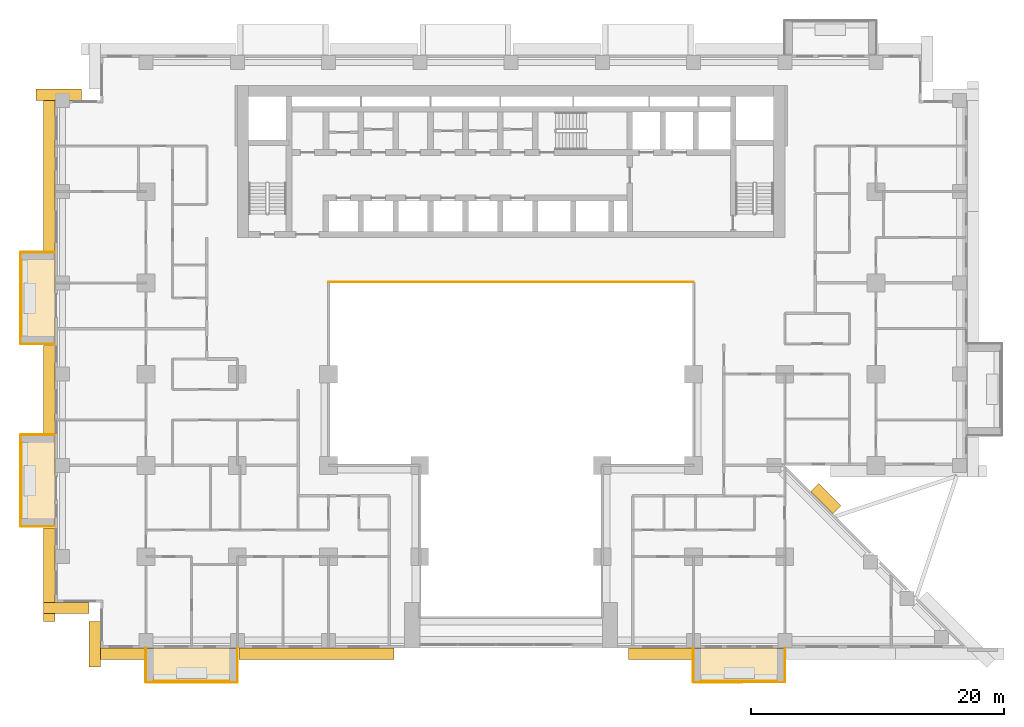
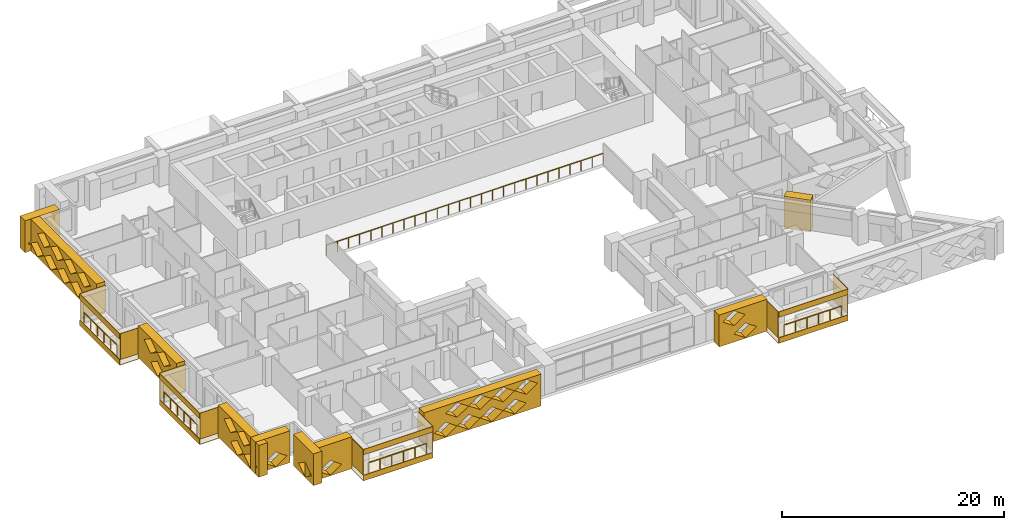
# One storey, part 13 of 16: 30 coverings, 5 railings.
"""IFC4 building model written with IfcOpenShell, lengths in metres."""

from ifc_helpers import new_model, si_unit, direction, frame, origin, origin_2d, place, context, subcontext, project, spatial, polyline, circle, outline, extrude, material, layer, layer_set, type_object, element, save


model = new_model("IFC4")

# Units and contexts
model_context = context("Model", 3, precision=1e-05, world=origin(), true_north=direction((0.0, 1.0)))
body_context = subcontext(model_context, "Body", "Model", "MODEL_VIEW")
ifc_project = project(units=[si_unit("LENGTHUNIT", "METRE"), si_unit("AREAUNIT", "SQUARE_METRE"), si_unit("VOLUMEUNIT", "CUBIC_METRE"), si_unit("PLANEANGLEUNIT", "RADIAN"), si_unit("MASSUNIT", "GRAM", prefix="KILO")], contexts=[model_context])

# Site, building, storey
site_placement = place(None, origin())
site = spatial("IfcSite", under=ifc_project, at=site_placement, CompositionType="ELEMENT")
building_placement = place(site_placement, origin())
building = spatial("IfcBuilding", under=site, at=building_placement, Name="Saffron Iwan Residences", CompositionType="ELEMENT")
storey_placement = place(building_placement, frame((0.0, 0.0, 44.5)))
storey = spatial("IfcBuildingStorey", under=building, at=storey_placement, Name="L10", CompositionType="ELEMENT", Elevation=44.5)

# Railings
ifc_material_1 = material(Name="Stainless steel 316", Category="steel")
railing_type_1 = type_object("IfcRailingType", Name="Atrium guard 1150", PredefinedType="GUARDRAIL", material=ifc_material_1)
railing_placement = place(storey_placement, frame((36.0, 62.47509765625, 0.0)))
element("IfcRailing", 1, at=railing_placement, inside=storey, type_object=railing_type_1, Name="Atrium guard L10", PredefinedType="GUARDRAIL", context=body_context, shape_type="SweptSolid", body=[
    extrude(circle(Radius=0.02392578125, at=origin_2d()), frame((0.0, 0.0, 1.1259765625), z_axis=(1.0, 0.0, 0.0), x_axis=(0.0, 1.0, 0.0)), (0.0, 0.0, 1.0), 28.800048828125),
    extrude(circle(Radius=0.02099609375, at=origin_2d()), origin(), (0.0, 0.0, 1.0), 1.101806640625),
    extrude(circle(Radius=0.02099609375, at=origin_2d()), frame((1.152099609375, 0.0, 0.0)), (0.0, 0.0, 1.0), 1.101806640625),
    extrude(circle(Radius=0.02099609375, at=origin_2d()), frame((2.303955078125, 0.0, 0.0)), (0.0, 0.0, 1.0), 1.101806640625),
    extrude(circle(Radius=0.02099609375, at=origin_2d()), frame((3.4560546875, 0.0, 0.0)), (0.0, 0.0, 1.0), 1.101806640625),
    extrude(circle(Radius=0.02099609375, at=origin_2d()), frame((4.60791015625, 0.0, 0.0)), (0.0, 0.0, 1.0), 1.101806640625),
    extrude(circle(Radius=0.02099609375, at=origin_2d()), frame((5.760009765625, 0.0, 0.0)), (0.0, 0.0, 1.0), 1.101806640625),
    extrude(circle(Radius=0.02099609375, at=origin_2d()), frame((6.912109375, 0.0, 0.0)), (0.0, 0.0, 1.0), 1.101806640625),
    extrude(circle(Radius=0.02099609375, at=origin_2d()), frame((8.06396484375, 0.0, 0.0)), (0.0, 0.0, 1.0), 1.101806640625),
    extrude(circle(Radius=0.02099609375, at=origin_2d()), frame((9.216064453125, 0.0, 0.0)), (0.0, 0.0, 1.0), 1.101806640625),
    extrude(circle(Radius=0.02099609375, at=origin_2d()), frame((10.367919921875, 0.0, 0.0)), (0.0, 0.0, 1.0), 1.101806640625),
    extrude(circle(Radius=0.02099609375, at=origin_2d()), frame((11.52001953125, 0.0, 0.0)), (0.0, 0.0, 1.0), 1.101806640625),
    extrude(circle(Radius=0.02099609375, at=origin_2d()), frame((12.672119140625, 0.0, 0.0)), (0.0, 0.0, 1.0), 1.101806640625),
    extrude(circle(Radius=0.02099609375, at=origin_2d()), frame((13.823974609375, 0.0, 0.0)), (0.0, 0.0, 1.0), 1.101806640625),
    extrude(circle(Radius=0.02099609375, at=origin_2d()), frame((14.97607421875, 0.0, 0.0)), (0.0, 0.0, 1.0), 1.101806640625),
    extrude(circle(Radius=0.02099609375, at=origin_2d()), frame((16.1279296875, 0.0, 0.0)), (0.0, 0.0, 1.0), 1.101806640625),
    extrude(circle(Radius=0.02099609375, at=origin_2d()), frame((17.280029296875, 0.0, 0.0)), (0.0, 0.0, 1.0), 1.101806640625),
    extrude(circle(Radius=0.02099609375, at=origin_2d()), frame((18.43212890625, 0.0, 0.0)), (0.0, 0.0, 1.0), 1.101806640625),
    extrude(circle(Radius=0.02099609375, at=origin_2d()), frame((19.583984375, 0.0, 0.0)), (0.0, 0.0, 1.0), 1.101806640625),
    extrude(circle(Radius=0.02099609375, at=origin_2d()), frame((20.736083984375, 0.0, 0.0)), (0.0, 0.0, 1.0), 1.101806640625),
    extrude(circle(Radius=0.02099609375, at=origin_2d()), frame((21.887939453125, 0.0, 0.0)), (0.0, 0.0, 1.0), 1.101806640625),
    extrude(circle(Radius=0.02099609375, at=origin_2d()), frame((23.0400390625, 0.0, 0.0)), (0.0, 0.0, 1.0), 1.101806640625),
    extrude(circle(Radius=0.02099609375, at=origin_2d()), frame((24.192138671875, 0.0, 0.0)), (0.0, 0.0, 1.0), 1.101806640625),
    extrude(circle(Radius=0.02099609375, at=origin_2d()), frame((25.343994140625, 0.0, 0.0)), (0.0, 0.0, 1.0), 1.101806640625),
    extrude(circle(Radius=0.02099609375, at=origin_2d()), frame((26.49609375, 0.0, 0.0)), (0.0, 0.0, 1.0), 1.101806640625),
    extrude(circle(Radius=0.02099609375, at=origin_2d()), frame((27.64794921875, 0.0, 0.0)), (0.0, 0.0, 1.0), 1.101806640625),
    extrude(circle(Radius=0.02099609375, at=origin_2d()), frame((28.800048828125, 0.0, 0.0)), (0.0, 0.0, 1.0), 1.101806640625),
])
railing_type_2 = type_object("IfcRailingType", Name="BALCONY GUARD 1150", PredefinedType="GUARDRAIL", material=ifc_material_1)
for number, where, name in (
    (2, (11.77490234375, 64.199951171875, 0.0), "Balcony guard L10 F8-0"),
    (3, (11.77490234375, 49.800048828125, 0.0), "Balcony guard L10 F8-1"),
):
    element("IfcRailing", number, at=place(storey_placement, frame(where)), inside=storey, type_object=railing_type_2, Name=name, PredefinedType="GUARDRAIL", context=body_context, shape_type="SweptSolid", body=[
        extrude(circle(Radius=0.02392578125, at=origin_2d()), frame((0.0, 0.0, 1.1259765625), z_axis=(0.0, -1.0, 0.0), x_axis=(1.0, 0.0, 0.0)), (0.0, 0.0, 1.0), 6.0),
        extrude(circle(Radius=0.02099609375, at=origin_2d()), origin(), (0.0, 0.0, 1.0), 1.101806640625),
        extrude(circle(Radius=0.02099609375, at=origin_2d()), frame((0.0, -1.199951171875, 0.0)), (0.0, 0.0, 1.0), 1.101806640625),
        extrude(circle(Radius=0.02099609375, at=origin_2d()), frame((0.0, -2.39990234375, 0.0)), (0.0, 0.0, 1.0), 1.101806640625),
        extrude(circle(Radius=0.02099609375, at=origin_2d()), frame((0.0, -3.60009765625, 0.0)), (0.0, 0.0, 1.0), 1.101806640625),
        extrude(circle(Radius=0.02099609375, at=origin_2d()), frame((0.0, -4.800048828125, 0.0)), (0.0, 0.0, 1.0), 1.101806640625),
        extrude(circle(Radius=0.02099609375, at=origin_2d()), frame((0.0, -6.0, 0.0)), (0.0, 0.0, 1.0), 1.101806640625),
    ])
for number, where, name in (
    (4, (22.199951171875, 30.97509765625, 0.0), "Balcony guard L10 11-0"),
    (5, (65.39990234375, 30.97509765625, 0.0), "Balcony guard L10 11-1"),
):
    element("IfcRailing", number, at=place(storey_placement, frame(where)), inside=storey, type_object=railing_type_2, Name=name, PredefinedType="GUARDRAIL", context=body_context, shape_type="SweptSolid", body=[
        extrude(circle(Radius=0.02392578125, at=origin_2d()), frame((0.0, 0.0, 1.1259765625), z_axis=(1.0, 0.0, 0.0), x_axis=(0.0, 1.0, 0.0)), (0.0, 0.0, 1.0), 6.0),
        extrude(circle(Radius=0.02099609375, at=origin_2d()), origin(), (0.0, 0.0, 1.0), 1.101806640625),
        extrude(circle(Radius=0.02099609375, at=origin_2d()), frame((1.199951171875, 0.0, 0.0)), (0.0, 0.0, 1.0), 1.101806640625),
        extrude(circle(Radius=0.02099609375, at=origin_2d()), frame((2.39990234375, 0.0, 0.0)), (0.0, 0.0, 1.0), 1.101806640625),
        extrude(circle(Radius=0.02099609375, at=origin_2d()), frame((3.60009765625, 0.0, 0.0)), (0.0, 0.0, 1.0), 1.101806640625),
        extrude(circle(Radius=0.02099609375, at=origin_2d()), frame((4.800048828125, 0.0, 0.0)), (0.0, 0.0, 1.0), 1.101806640625),
        extrude(circle(Radius=0.02099609375, at=origin_2d()), frame((6.0, 0.0, 0.0)), (0.0, 0.0, 1.0), 1.101806640625),
    ])

# Coverings
ifc_material_2 = material(Name="Precast concrete C40/50 white painted", Category="concrete")
ifc_layer = layer(ifc_material_2, 0.050048828125)
ifc_layer_set = layer_set([ifc_layer], Name="Precast concrete C40/50 white painted")
covering_type_1 = type_object("IfcCoveringType", Name="FRAME SKIN PRECAST WHITE 50", PredefinedType="CLADDING", material=ifc_layer_set)
for number, where, name in (
    (6, (0.0, 0.0, -0.60009765625), "Frame skin slab edge L10 F8-0"),
    (7, (0.0, 0.0, 2.25), "Frame skin fascia L10 F8-0"),
):
    element("IfcCovering", number, at=place(storey_placement, frame(where)), inside=storey, type_object=covering_type_1, Name=name, PredefinedType="CLADDING", context=body_context, shape_type="SweptSolid", body=[
        extrude(outline(polyline([(11.64990234375, 64.800048828125), (11.64990234375, 57.60009765625), (11.699951171875, 57.60009765625), (11.699951171875, 64.800048828125), (11.64990234375, 64.800048828125)])), origin(), (0.0, 0.0, 1.0), 0.60009765625),
    ])
covering_1_placement = place(storey_placement, frame((0.0, 0.0, -0.64990234375)))
element("IfcCovering", 8, at=covering_1_placement, inside=storey, type_object=covering_type_1, Name="Frame skin soffit L10 F8-0", PredefinedType="CLADDING", context=body_context, shape_type="SweptSolid", body=[
    extrude(outline(polyline([(11.699951171875, 64.800048828125), (11.699951171875, 57.60009765625), (14.39990234375, 57.60009765625), (14.39990234375, 64.800048828125), (11.699951171875, 64.800048828125)])), origin(), (0.0, 0.0, 1.0), 0.0498046875),
])
covering_2_placement = place(storey_placement, origin())
element("IfcCovering", 9, at=covering_2_placement, inside=storey, type_object=covering_type_1, Name="Frame skin fin L10 F8-0a", PredefinedType="CLADDING", context=body_context, shape_type="SweptSolid", body=[
    extrude(outline(polyline([(11.699951171875, 64.85009765625), (11.699951171875, 64.800048828125), (14.39990234375, 64.800048828125), (14.39990234375, 64.85009765625), (11.699951171875, 64.85009765625)])), origin(), (0.0, 0.0, 1.0), 2.85009765625),
])
covering_3_placement = place(storey_placement, origin())
element("IfcCovering", 10, at=covering_3_placement, inside=storey, type_object=covering_type_1, Name="Frame skin fin L10 F8-0b", PredefinedType="CLADDING", context=body_context, shape_type="SweptSolid", body=[
    extrude(outline(polyline([(11.699951171875, 57.60009765625), (11.699951171875, 57.550048828125), (14.39990234375, 57.550048828125), (14.39990234375, 57.60009765625), (11.699951171875, 57.60009765625)])), origin(), (0.0, 0.0, 1.0), 2.85009765625),
])
for number, where, name in (
    (11, (0.0, 0.0, -0.60009765625), "Frame skin slab edge L10 F8-1"),
    (12, (0.0, 0.0, 2.25), "Frame skin fascia L10 F8-1"),
):
    element("IfcCovering", number, at=place(storey_placement, frame(where)), inside=storey, type_object=covering_type_1, Name=name, PredefinedType="CLADDING", context=body_context, shape_type="SweptSolid", body=[
        extrude(outline(polyline([(11.64990234375, 50.39990234375), (11.64990234375, 43.199951171875), (11.699951171875, 43.199951171875), (11.699951171875, 50.39990234375), (11.64990234375, 50.39990234375)])), origin(), (0.0, 0.0, 1.0), 0.60009765625),
    ])
covering_4_placement = place(storey_placement, frame((0.0, 0.0, -0.64990234375)))
element("IfcCovering", 13, at=covering_4_placement, inside=storey, type_object=covering_type_1, Name="Frame skin soffit L10 F8-1", PredefinedType="CLADDING", context=body_context, shape_type="SweptSolid", body=[
    extrude(outline(polyline([(11.699951171875, 50.39990234375), (11.699951171875, 43.199951171875), (14.39990234375, 43.199951171875), (14.39990234375, 50.39990234375), (11.699951171875, 50.39990234375)])), origin(), (0.0, 0.0, 1.0), 0.0498046875),
])
covering_5_placement = place(storey_placement, origin())
element("IfcCovering", 14, at=covering_5_placement, inside=storey, type_object=covering_type_1, Name="Frame skin fin L10 F8-1a", PredefinedType="CLADDING", context=body_context, shape_type="SweptSolid", body=[
    extrude(outline(polyline([(11.699951171875, 50.449951171875), (11.699951171875, 50.39990234375), (14.39990234375, 50.39990234375), (14.39990234375, 50.449951171875), (11.699951171875, 50.449951171875)])), origin(), (0.0, 0.0, 1.0), 2.85009765625),
])
covering_6_placement = place(storey_placement, origin())
element("IfcCovering", 15, at=covering_6_placement, inside=storey, type_object=covering_type_1, Name="Frame skin fin L10 F8-1b", PredefinedType="CLADDING", context=body_context, shape_type="SweptSolid", body=[
    extrude(outline(polyline([(11.699951171875, 43.199951171875), (11.699951171875, 43.14990234375), (14.39990234375, 43.14990234375), (14.39990234375, 43.199951171875), (11.699951171875, 43.199951171875)])), origin(), (0.0, 0.0, 1.0), 2.85009765625),
])
for number, where, name in (
    (16, (0.0, 0.0, -0.60009765625), "Frame skin slab edge L10 11-0"),
    (17, (0.0, 0.0, 2.25), "Frame skin fascia L10 11-0"),
):
    element("IfcCovering", number, at=place(storey_placement, frame(where)), inside=storey, type_object=covering_type_1, Name=name, PredefinedType="CLADDING", context=body_context, shape_type="SweptSolid", body=[
        extrude(outline(polyline([(21.60009765625, 30.85009765625), (28.800048828125, 30.85009765625), (28.800048828125, 30.89990234375), (21.60009765625, 30.89990234375), (21.60009765625, 30.85009765625)])), origin(), (0.0, 0.0, 1.0), 0.60009765625),
    ])
covering_7_placement = place(storey_placement, frame((0.0, 0.0, -0.64990234375)))
element("IfcCovering", 18, at=covering_7_placement, inside=storey, type_object=covering_type_1, Name="Frame skin soffit L10 11-0", PredefinedType="CLADDING", context=body_context, shape_type="SweptSolid", body=[
    extrude(outline(polyline([(21.60009765625, 30.89990234375), (28.800048828125, 30.89990234375), (28.800048828125, 33.60009765625), (21.60009765625, 33.60009765625), (21.60009765625, 30.89990234375)])), origin(), (0.0, 0.0, 1.0), 0.0498046875),
])
covering_8_placement = place(storey_placement, origin())
element("IfcCovering", 19, at=covering_8_placement, inside=storey, type_object=covering_type_1, Name="Frame skin fin L10 11-0a", PredefinedType="CLADDING", context=body_context, shape_type="SweptSolid", body=[
    extrude(outline(polyline([(21.550048828125, 30.89990234375), (21.60009765625, 30.89990234375), (21.60009765625, 33.60009765625), (21.550048828125, 33.60009765625), (21.550048828125, 30.89990234375)])), origin(), (0.0, 0.0, 1.0), 2.85009765625),
])
covering_9_placement = place(storey_placement, origin())
element("IfcCovering", 20, at=covering_9_placement, inside=storey, type_object=covering_type_1, Name="Frame skin fin L10 11-0b", PredefinedType="CLADDING", context=body_context, shape_type="SweptSolid", body=[
    extrude(outline(polyline([(28.800048828125, 30.89990234375), (28.85009765625, 30.89990234375), (28.85009765625, 33.60009765625), (28.800048828125, 33.60009765625), (28.800048828125, 30.89990234375)])), origin(), (0.0, 0.0, 1.0), 2.85009765625),
])
for number, where, name in (
    (21, (0.0, 0.0, -0.60009765625), "Frame skin slab edge L10 11-1"),
    (22, (0.0, 0.0, 2.25), "Frame skin fascia L10 11-1"),
):
    element("IfcCovering", number, at=place(storey_placement, frame(where)), inside=storey, type_object=covering_type_1, Name=name, PredefinedType="CLADDING", context=body_context, shape_type="SweptSolid", body=[
        extrude(outline(polyline([(64.800048828125, 30.85009765625), (72.0, 30.85009765625), (72.0, 30.89990234375), (64.800048828125, 30.89990234375), (64.800048828125, 30.85009765625)])), origin(), (0.0, 0.0, 1.0), 0.60009765625),
    ])
covering_10_placement = place(storey_placement, frame((0.0, 0.0, -0.64990234375)))
element("IfcCovering", 23, at=covering_10_placement, inside=storey, type_object=covering_type_1, Name="Frame skin soffit L10 11-1", PredefinedType="CLADDING", context=body_context, shape_type="SweptSolid", body=[
    extrude(outline(polyline([(64.800048828125, 30.89990234375), (72.0, 30.89990234375), (72.0, 33.60009765625), (64.800048828125, 33.60009765625), (64.800048828125, 30.89990234375)])), origin(), (0.0, 0.0, 1.0), 0.0498046875),
])
covering_11_placement = place(storey_placement, origin())
element("IfcCovering", 24, at=covering_11_placement, inside=storey, type_object=covering_type_1, Name="Frame skin fin L10 11-1a", PredefinedType="CLADDING", context=body_context, shape_type="SweptSolid", body=[
    extrude(outline(polyline([(64.75, 30.89990234375), (64.800048828125, 30.89990234375), (64.800048828125, 33.60009765625), (64.75, 33.60009765625), (64.75, 30.89990234375)])), origin(), (0.0, 0.0, 1.0), 2.85009765625),
])
covering_12_placement = place(storey_placement, origin())
element("IfcCovering", 25, at=covering_12_placement, inside=storey, type_object=covering_type_1, Name="Frame skin fin L10 11-1b", PredefinedType="CLADDING", context=body_context, shape_type="SweptSolid", body=[
    extrude(outline(polyline([(72.0, 30.89990234375), (72.050048828125, 30.89990234375), (72.050048828125, 33.60009765625), (72.0, 33.60009765625), (72.0, 30.89990234375)])), origin(), (0.0, 0.0, 1.0), 2.85009765625),
])
ifc_material_3 = material(Name="Precast concrete C40/50", Category="concrete")
covering_type_2 = type_object("IfcCoveringType", Name="OUTER SKIN LATTICE SCREEN", PredefinedType="CLADDING", material=ifc_material_3)
covering_13_placement = place(storey_placement, frame((75.805908203125, 44.194091796875, -0.320068359375), z_axis=(0.707106781187, 0.707106781187, 0.0), x_axis=(-0.707106781187, 0.707106781187, 0.0)))
element("IfcCovering", 26, at=covering_13_placement, inside=storey, type_object=covering_type_2, Name="OUTER SKIN lattice screen L10 F0.1", PredefinedType="CLADDING", context=body_context, shape_type="SweptSolid", body=[
    extrude(outline(polyline([(0.0, 0.0), (2.4853515625, 0.0), (2.4853515625, 3.5), (0.0, 3.5), (0.0, 0.0)])), origin(), (0.0, 0.0, 1.0), 0.900146484375),
])
covering_14_placement = place(storey_placement, frame((16.5, 76.800048828125, -0.320068359375), z_axis=(0.0, 1.0, 0.0), x_axis=(-1.0, 0.0, 0.0)))
element("IfcCovering", 27, at=covering_14_placement, inside=storey, type_object=covering_type_2, Name="OUTER SKIN lattice screen L10 F7.0", PredefinedType="CLADDING", context=body_context, shape_type="SweptSolid", body=[
    extrude(outline(polyline([(0.0, 0.0), (3.60009765625, 0.0), (3.60009765625, 3.5), (0.0, 3.5), (0.0, 0.0)]), holes=[polyline([(0.919921875, 0.875), (2.10009765625, 0.06005859375), (3.280029296875, 0.875), (2.10009765625, 1.68994140625), (0.919921875, 0.875)])]), origin(), (0.0, 0.0, 1.0), 0.89990234375),
])
covering_15_placement = place(storey_placement, frame((14.39990234375, 77.699951171875, -0.320068359375), z_axis=(-1.0, 0.0, 0.0), x_axis=(0.0, -1.0, 0.0)))
element("IfcCovering", 28, at=covering_15_placement, inside=storey, type_object=covering_type_2, Name="OUTER SKIN lattice screen L10 F8.0", PredefinedType="CLADDING", context=body_context, shape_type="SweptSolid", body=[
    extrude(outline(polyline([(0.0, 0.0), (12.75, 0.0), (12.75, 3.5), (0.0, 3.5), (0.0, 0.0)]), holes=[polyline([(0.919921875, 0.875), (2.10009765625, 0.06005859375), (3.280029296875, 0.875), (2.10009765625, 1.68994140625), (0.919921875, 0.875)]), polyline([(3.320068359375, 0.875), (4.5, 0.06005859375), (5.679931640625, 0.875), (4.5, 1.68994140625), (3.320068359375, 0.875)]), polyline([(5.719970703125, 0.875), (6.89990234375, 0.06005859375), (8.080078125, 0.875), (6.89990234375, 1.68994140625), (5.719970703125, 0.875)]), polyline([(8.1201171875, 0.875), (9.300048828125, 0.06005859375), (10.47998046875, 0.875), (9.300048828125, 1.68994140625), (8.1201171875, 0.875)]), polyline([(2.1201171875, 2.625), (3.300048828125, 1.81005859375), (4.47998046875, 2.625), (3.300048828125, 3.43994140625), (2.1201171875, 2.625)]), polyline([(4.52001953125, 2.625), (5.699951171875, 1.81005859375), (6.8798828125, 2.625), (5.699951171875, 3.43994140625), (4.52001953125, 2.625)]), polyline([(6.919921875, 2.625), (8.10009765625, 1.81005859375), (9.280029296875, 2.625), (8.10009765625, 3.43994140625), (6.919921875, 2.625)]), polyline([(9.320068359375, 2.625), (10.5, 1.81005859375), (11.679931640625, 2.625), (10.5, 3.43994140625), (9.320068359375, 2.625)])]), origin(), (0.0, 0.0, 1.0), 0.89990234375),
])
covering_16_placement = place(storey_placement, frame((14.39990234375, 57.449951171875, -0.320068359375), z_axis=(-1.0, 0.0, 0.0), x_axis=(0.0, -1.0, 0.0)))
element("IfcCovering", 29, at=covering_16_placement, inside=storey, type_object=covering_type_2, Name="OUTER SKIN lattice screen L10 F8.1", PredefinedType="CLADDING", context=body_context, shape_type="SweptSolid", body=[
    extrude(outline(polyline([(0.0, 0.0), (6.89990234375, 0.0), (6.89990234375, 3.5), (0.0, 3.5), (0.0, 0.0)]), holes=[polyline([(2.27001953125, 0.875), (3.449951171875, 0.06005859375), (4.6298828125, 0.875), (3.449951171875, 1.68994140625), (2.27001953125, 0.875)]), polyline([(1.070068359375, 2.625), (2.25, 1.81005859375), (3.429931640625, 2.625), (2.25, 3.43994140625), (1.070068359375, 2.625)]), polyline([(3.469970703125, 2.625), (4.64990234375, 1.81005859375), (5.830078125, 2.625), (4.64990234375, 3.43994140625), (3.469970703125, 2.625)])]), origin(), (0.0, 0.0, 1.0), 0.89990234375),
])
covering_17_placement = place(storey_placement, frame((14.39990234375, 43.050048828125, -0.320068359375), z_axis=(-1.0, 0.0, 0.0), x_axis=(0.0, -1.0, 0.0)))
element("IfcCovering", 30, at=covering_17_placement, inside=storey, type_object=covering_type_2, Name="OUTER SKIN lattice screen L10 F8.2", PredefinedType="CLADDING", context=body_context, shape_type="SweptSolid", body=[
    extrude(outline(polyline([(0.0, 0.0), (7.35009765625, 0.0), (7.35009765625, 3.5), (0.0, 3.5), (0.0, 0.0)]), holes=[polyline([(2.27001953125, 0.875), (3.449951171875, 0.06005859375), (4.6298828125, 0.875), (3.449951171875, 1.68994140625), (2.27001953125, 0.875)]), polyline([(4.669921875, 0.875), (5.85009765625, 0.06005859375), (7.030029296875, 0.875), (5.85009765625, 1.68994140625), (4.669921875, 0.875)]), polyline([(1.070068359375, 2.625), (2.25, 1.81005859375), (3.429931640625, 2.625), (2.25, 3.43994140625), (1.070068359375, 2.625)]), polyline([(3.469970703125, 2.625), (4.64990234375, 1.81005859375), (5.830078125, 2.625), (4.64990234375, 3.43994140625), (3.469970703125, 2.625)])]), origin(), (0.0, 0.0, 1.0), 0.89990234375),
])
for number, where, z_axis, x_axis, name in (
    (31, (13.5, 37.199951171875, -0.320068359375), (0.0, -1.0, 0.0), (1.0, 0.0, 0.0), "OUTER SKIN lattice screen L10 F9.0"),
    (32, (18.0, 35.699951171875, -0.320068359375), (-1.0, 0.0, 0.0), (0.0, -1.0, 0.0), "OUTER SKIN lattice screen L10 F10.0"),
):
    element("IfcCovering", number, at=place(storey_placement, frame(where, z_axis=z_axis, x_axis=x_axis)), inside=storey, type_object=covering_type_2, Name=name, PredefinedType="CLADDING", context=body_context, shape_type="SweptSolid", body=[
        extrude(outline(polyline([(0.0, 0.0), (3.60009765625, 0.0), (3.60009765625, 3.5), (0.0, 3.5), (0.0, 0.0)]), holes=[polyline([(0.919921875, 0.875), (2.10009765625, 0.06005859375), (3.280029296875, 0.875), (2.10009765625, 1.68994140625), (0.919921875, 0.875)])]), origin(), (0.0, 0.0, 1.0), 0.89990234375),
    ])
covering_18_placement = place(storey_placement, frame((17.10009765625, 33.60009765625, -0.320068359375), z_axis=(0.0, -1.0, 0.0), x_axis=(1.0, 0.0, 0.0)))
element("IfcCovering", 33, at=covering_18_placement, inside=storey, type_object=covering_type_2, Name="OUTER SKIN lattice screen L10 F11.0", PredefinedType="CLADDING", context=body_context, shape_type="SweptSolid", body=[
    extrude(outline(polyline([(0.0, 0.0), (4.35009765625, 0.0), (4.35009765625, 3.5), (0.0, 3.5), (0.0, 0.0)]), holes=[polyline([(0.919921875, 0.875), (2.10009765625, 0.06005859375), (3.280029296875, 0.875), (2.10009765625, 1.68994140625), (0.919921875, 0.875)])]), origin(), (0.0, 0.0, 1.0), 0.900146484375),
])
covering_19_placement = place(storey_placement, frame((28.949951171875, 33.60009765625, -0.320068359375), z_axis=(0.0, -1.0, 0.0), x_axis=(1.0, 0.0, 0.0)))
element("IfcCovering", 34, at=covering_19_placement, inside=storey, type_object=covering_type_2, Name="OUTER SKIN lattice screen L10 F11.1", PredefinedType="CLADDING", context=body_context, shape_type="SweptSolid", body=[
    extrude(outline(polyline([(0.0, 0.0), (12.199951171875, 0.0), (12.199951171875, 3.5), (0.0, 3.5), (0.0, 0.0)]), holes=[polyline([(1.070068359375, 0.875), (2.25, 0.06005859375), (3.429931640625, 0.875), (2.25, 1.68994140625), (1.070068359375, 0.875)]), polyline([(3.469970703125, 0.875), (4.64990234375, 0.06005859375), (5.830078125, 0.875), (4.64990234375, 1.68994140625), (3.469970703125, 0.875)]), polyline([(5.8701171875, 0.875), (7.050048828125, 0.06005859375), (8.22998046875, 0.875), (7.050048828125, 1.68994140625), (5.8701171875, 0.875)]), polyline([(8.27001953125, 0.875), (9.449951171875, 0.06005859375), (10.6298828125, 0.875), (9.449951171875, 1.68994140625), (8.27001953125, 0.875)]), polyline([(2.27001953125, 2.625), (3.449951171875, 1.81005859375), (4.6298828125, 2.625), (3.449951171875, 3.43994140625), (2.27001953125, 2.625)]), polyline([(4.669921875, 2.625), (5.85009765625, 1.81005859375), (7.030029296875, 2.625), (5.85009765625, 3.43994140625), (4.669921875, 2.625)]), polyline([(7.070068359375, 2.625), (8.25, 1.81005859375), (9.429931640625, 2.625), (8.25, 3.43994140625), (7.070068359375, 2.625)]), polyline([(9.469970703125, 2.625), (10.64990234375, 1.81005859375), (11.830078125, 2.625), (10.64990234375, 3.43994140625), (9.469970703125, 2.625)])]), origin(), (0.0, 0.0, 1.0), 0.900146484375),
])
covering_20_placement = place(storey_placement, frame((59.64990234375, 33.60009765625, -0.320068359375), z_axis=(0.0, -1.0, 0.0), x_axis=(1.0, 0.0, 0.0)))
element("IfcCovering", 35, at=covering_20_placement, inside=storey, type_object=covering_type_2, Name="OUTER SKIN lattice screen L10 F11.2", PredefinedType="CLADDING", context=body_context, shape_type="SweptSolid", body=[
    extrude(outline(polyline([(0.0, 0.0), (5.0, 0.0), (5.0, 3.5), (0.0, 3.5), (0.0, 0.0)]), holes=[polyline([(1.570068359375, 0.875), (2.75, 0.06005859375), (3.929931640625, 0.875), (2.75, 1.68994140625), (1.570068359375, 0.875)]), polyline([(0.3701171875, 2.625), (1.550048828125, 1.81005859375), (2.72998046875, 2.625), (1.550048828125, 3.43994140625), (0.3701171875, 2.625)])]), origin(), (0.0, 0.0, 1.0), 0.900146484375),
])

save(model, "model.ifc")
